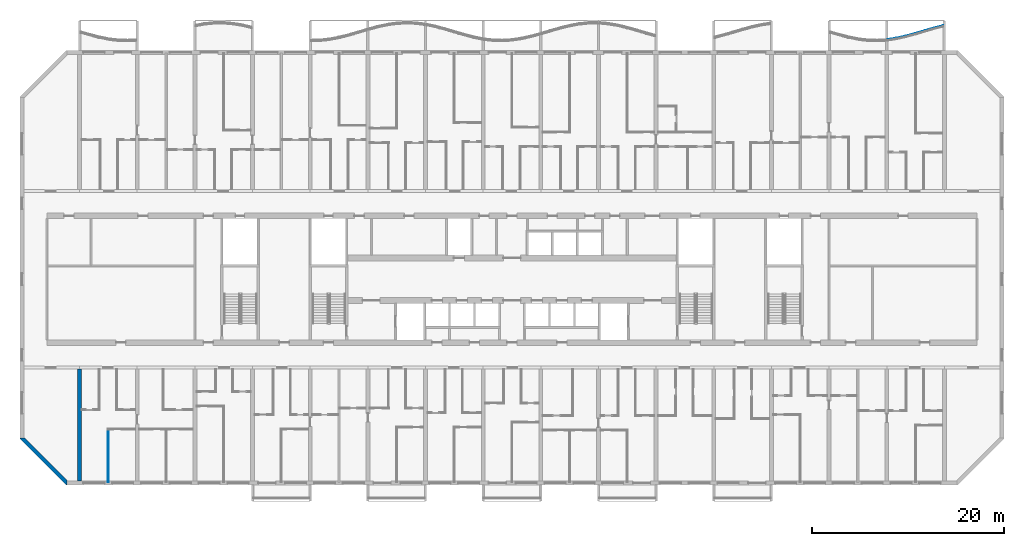
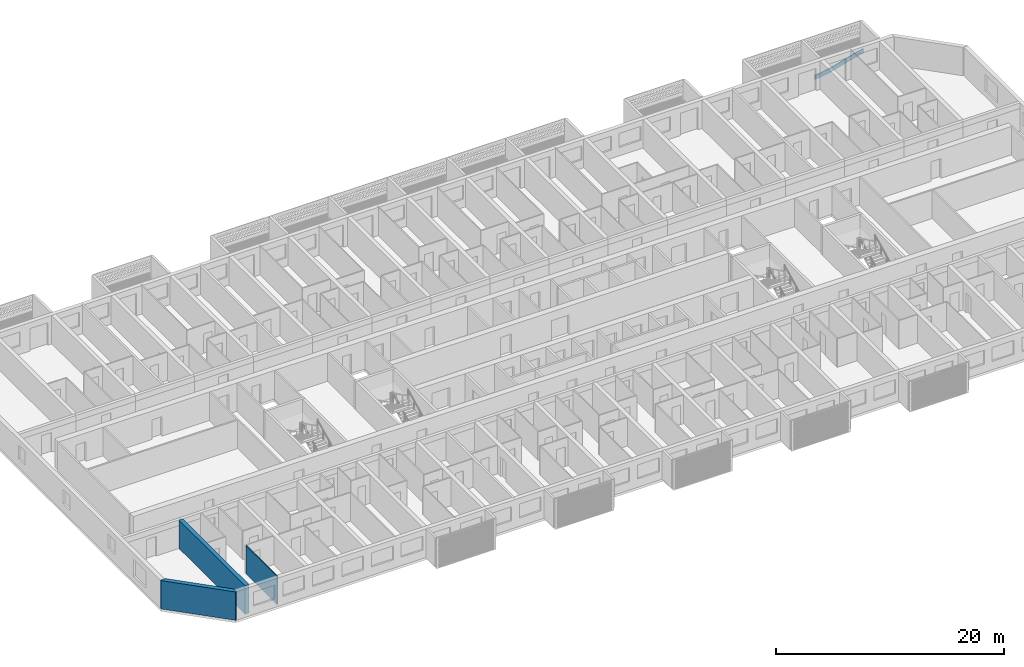
# One storey, part 2 of 44: 3 walls, 1 plate.
"""IFC4 building model written with IfcOpenShell, lengths in metres."""

from ifc_helpers import new_model, si_unit, direction, frame, frame_2d, origin, place, context, subcontext, project, spatial, polyline, rectangle, outline, extrude, material, layer, layer_set, type_object, element, save


model = new_model("IFC4")

# Units and contexts
model_context = context("Model", 3, precision=1e-05, world=origin(), true_north=direction((0.0, 1.0)))
body_context = subcontext(model_context, "Body", "Model", "MODEL_VIEW")
ifc_project = project(units=[si_unit("LENGTHUNIT", "METRE"), si_unit("AREAUNIT", "SQUARE_METRE"), si_unit("VOLUMEUNIT", "CUBIC_METRE"), si_unit("PLANEANGLEUNIT", "RADIAN"), si_unit("MASSUNIT", "GRAM", prefix="KILO")], contexts=[model_context])

# Site, building, storey
site_placement = place(None, origin())
site = spatial("IfcSite", under=ifc_project, at=site_placement, CompositionType="ELEMENT")
building_placement = place(site_placement, origin())
building = spatial("IfcBuilding", under=site, at=building_placement, Name="Poui Terraces", CompositionType="ELEMENT")
storey_placement = place(building_placement, frame((0.0, 0.0, 26.699951171875)))
storey = spatial("IfcBuildingStorey", under=building, at=storey_placement, Name="L06", CompositionType="ELEMENT", Elevation=26.699951171875)

# Plate
ifc_material_1 = material(Name="Precast concrete 40 MPa", Category="concrete")
ifc_layer_1 = layer(ifc_material_1, 0.080078125)
ifc_layer_set_1 = layer_set([ifc_layer_1], Name="Precast concrete 40 MPa")
plate_type = type_object("IfcPlateType", Name="SUNSHADE UPSTAND 80", PredefinedType="SHEET", material=ifc_layer_set_1)
plate_placement = place(storey_placement, origin())
element("IfcPlate", 1, at=plate_placement, inside=storey, type_object=plate_type, Name="SUNSHADE UPSTAND", PredefinedType="SHEET", context=body_context, shape_type="SweptSolid", body=[
    extrude(outline(polyline([(90.992431640625, 46.310791015625), (90.118896484375, 46.173583984375), (90.131103515625, 46.094482421875), (91.007568359375, 46.232177734375), (92.009765625, 46.457275390625), (93.010986328125, 46.732177734375), (94.01123046875, 47.0283203125), (95.010498046875, 47.315185546875), (95.884765625, 47.535888671875), (95.865234375, 47.61328125), (94.989501953125, 47.392578125), (93.98876953125, 47.105224609375), (92.989013671875, 46.80908203125), (91.990234375, 46.534912109375), (90.992431640625, 46.310791015625)])), origin(), (0.0, 0.0, 1.0), 0.449951171875),
])

# Walls
ifc_material_2 = material(Name="Concrete 80 MPa", Category="concrete")
ifc_layer_2 = layer(ifc_material_2, 0.39990234375)
ifc_layer_set_2 = layer_set([ifc_layer_2], Name="Concrete 80 MPa")
wall_type_1 = type_object("IfcWallType", Name="CROSS WALL 400 80MPa", PredefinedType="SHEAR", material=ifc_layer_set_2)
wall_1_placement = place(storey_placement, frame((6.0, 0.199951171875, 0.0), z_axis=(0.0, 0.0, 1.0), x_axis=(0.0, 1.0, 0.0)))
element("IfcWall", 2, at=wall_1_placement, inside=storey, type_object=wall_type_1, Name="CROSS WALL LINE 2 SOUTH", PredefinedType="SHEAR", context=body_context, shape_type="SweptSolid", body=[
    extrude(rectangle(XDim=11.650146484375, YDim=0.39990234375, at=frame_2d((5.8251953125, 0.0))), origin(), (0.0, 0.0, 1.0), 3.050048828125),
])
ifc_material_3 = material(Name="Plasterboard partition")
ifc_layer_3 = layer(ifc_material_3, 0.10009765625)
ifc_layer_set_3 = layer_set([ifc_layer_3], Name="Plasterboard partition")
wall_type_2 = type_object("IfcWallType", Name="FLAT PARTITION 100", PredefinedType="PARTITIONING", material=ifc_layer_set_3)
wall_2_placement = place(storey_placement, frame((9.0, 0.06005859375, 0.0), z_axis=(0.0, 0.0, 1.0), x_axis=(0.0, 1.0, 0.0)))
element("IfcWall", 3, at=wall_2_placement, inside=storey, type_object=wall_type_2, Name="FLAT PARTITION 100", PredefinedType="PARTITIONING", context=body_context, shape_type="SweptSolid", body=[
    extrude(rectangle(XDim=5.489990234375, YDim=0.10009765625, at=frame_2d((2.7451171875, 0.0))), origin(), (0.0, 0.0, 1.0), 3.050048828125),
])
ifc_layer_4 = layer(ifc_material_1, 0.39990234375)
ifc_layer_set_4 = layer_set([ifc_layer_4], Name="Precast concrete 40 MPa")
wall_type_3 = type_object("IfcWallType", Name="TERRACOTTA CLAD CHAMFER WALL 400", PredefinedType="STANDARD", material=ifc_layer_set_4)
wall_3_placement = place(storey_placement, origin())
element("IfcWall", 4, at=wall_3_placement, inside=storey, type_object=wall_type_3, Name="CHAMFER WALL CH07", PredefinedType="STANDARD", context=body_context, shape_type="SweptSolid", body=[
    extrude(outline(polyline([(-0.199951171875, 4.682861328125), (-0.199951171875, 4.60009765625), (4.60009765625, -0.199951171875), (4.682861328125, -0.199951171875), (4.682861328125, 0.28271484375), (0.28271484375, 4.682861328125), (-0.199951171875, 4.682861328125)])), origin(), (0.0, 0.0, 1.0), 3.050048828125),
])

save(model, "model.ifc")
